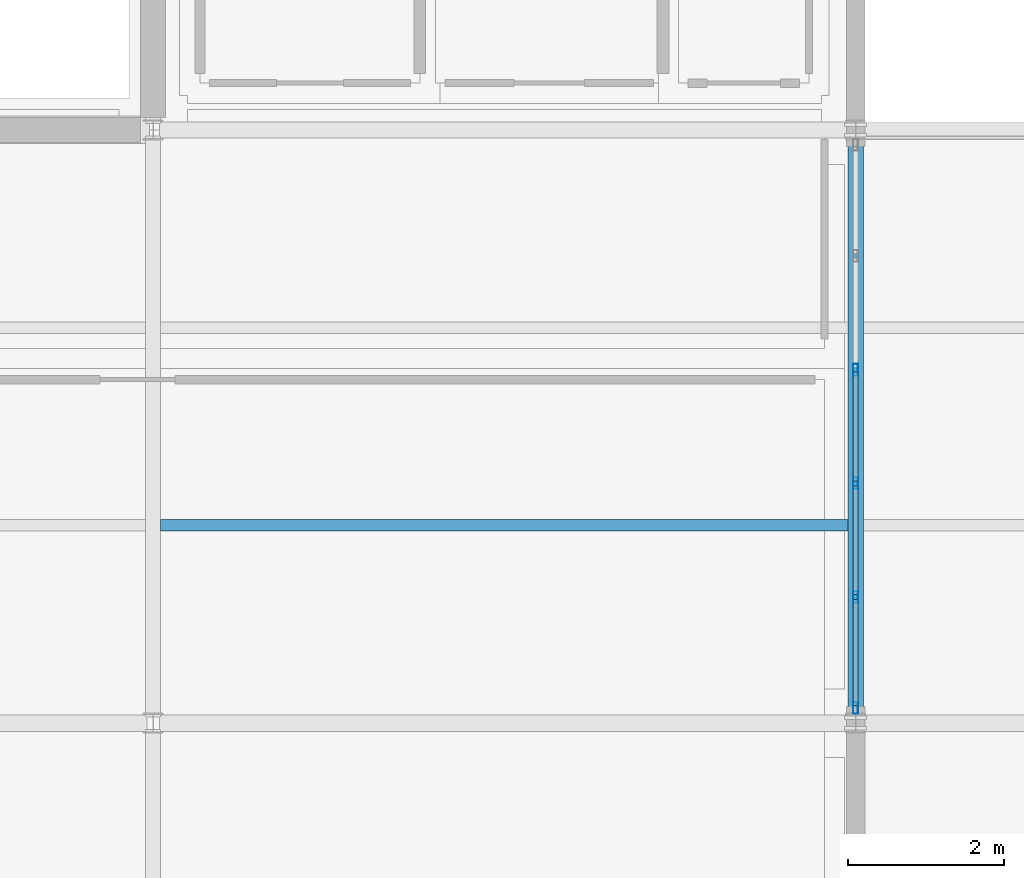
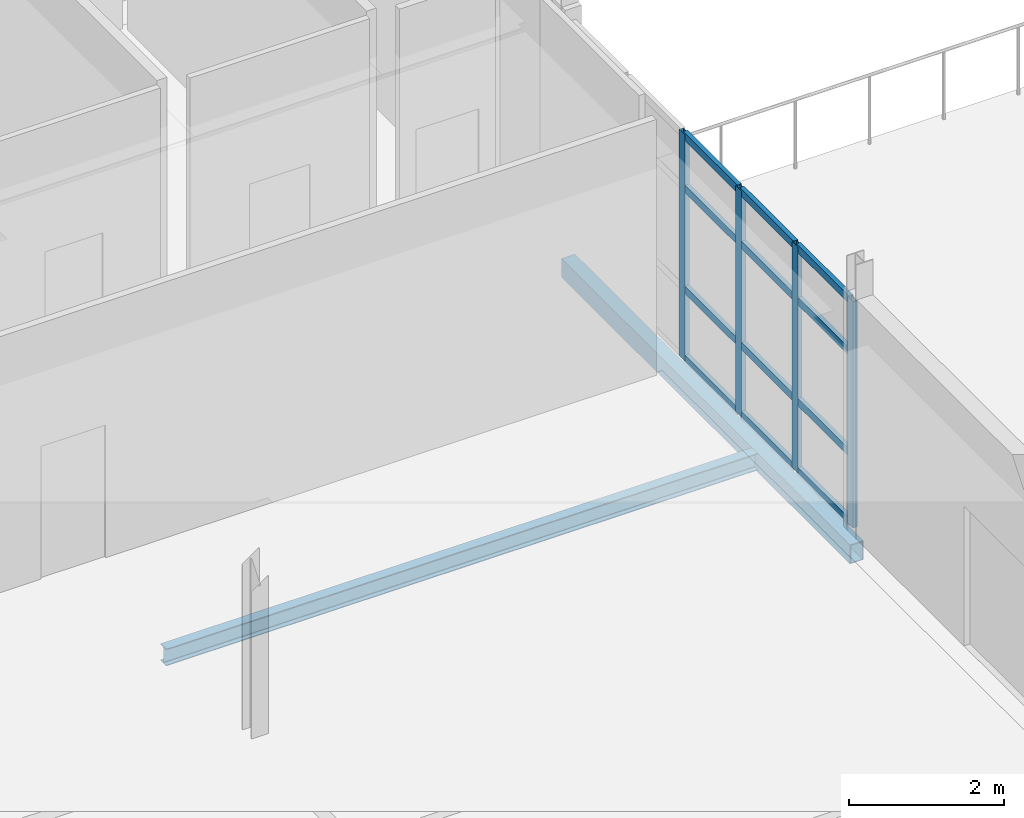
# One storey, part 28 of 48: 16 members, 2 beams, 1 element without a shape of its own.
"""IFC4 building model written with IfcOpenShell, lengths in metres."""

from ifc_helpers import new_model, si_unit, direction, frame, origin, origin_2d, place, context, subcontext, project, spatial, hollow_rectangle, i_section, extrude, material, material_profile, profile_set, type_object, element, aggregate, save


model = new_model("IFC4")

# Units and contexts
model_context = context("Model", 3, precision=1e-05, world=origin(), true_north=direction((0.0, 1.0)))
body_context = subcontext(model_context, "Body", "Model", "MODEL_VIEW")
ifc_project = project(units=[si_unit("LENGTHUNIT", "METRE"), si_unit("AREAUNIT", "SQUARE_METRE"), si_unit("VOLUMEUNIT", "CUBIC_METRE"), si_unit("PLANEANGLEUNIT", "RADIAN"), si_unit("MASSUNIT", "GRAM", prefix="KILO")], contexts=[model_context])

# Site, building, storey
site_placement = place(None, origin())
site = spatial("IfcSite", under=ifc_project, at=site_placement, CompositionType="ELEMENT")
building_placement = place(site_placement, origin())
building = spatial("IfcBuilding", under=site, at=building_placement, Name="Caisbarro Railhouse Central Library", CompositionType="ELEMENT")
storey_placement = place(building_placement, frame((0.0, 0.0, 18.0)))
storey = spatial("IfcBuildingStorey", under=building, at=storey_placement, Name="L04", CompositionType="ELEMENT", Elevation=18.0)

# Beams
ifc_material_1 = material(Name="Steel ASTM A572 Grade 50", Category="steel")
ifc_material_profile_1 = material_profile(ifc_material_1, i_section(OverallWidth=0.14794921875, OverallDepth=0.26611328125, WebThickness=0.007568359375, FlangeThickness=0.012939453125, FilletRadius=0.010009765625, at=origin_2d()), Name="W250X44.8")
ifc_profile_set_1 = profile_set([ifc_material_profile_1], Name="Steel ASTM A572 Grade 50")
beam_type_1 = type_object("IfcBeamType", Name="BM-J04", PredefinedType="JOIST", material=ifc_profile_set_1)
beam_1_placement = place(storey_placement, frame((135.094970703125, 101.333251953125, -0.35302734375), z_axis=(1.0, 0.0, 0.0), x_axis=(0.0, 1.0, 0.0)))
element("IfcBeam", 1, at=beam_1_placement, inside=storey, type_object=beam_type_1, Name="J04 beam L04 #2136", PredefinedType="JOIST", context=body_context, shape_type="SweptSolid", body=[
    extrude(i_section(OverallWidth=0.14794921875, OverallDepth=0.26611328125, WebThickness=0.007568359375, FlangeThickness=0.012939453125, FilletRadius=0.010009765625, at=origin_2d()), origin(), (0.0, 0.0, 1.0), 8.804931640625),
])
ifc_material_profile_2 = material_profile(ifc_material_1, hollow_rectangle(XDim=0.199951171875, YDim=0.300048828125, WallThickness=0.012451171875, at=origin_2d()), Name="HSS300X200X12.5")
ifc_profile_set_2 = profile_set([ifc_material_profile_2], Name="Steel ASTM A572 Grade 50")
beam_type_2 = type_object("IfcBeamType", Name="BM-SP02", PredefinedType="SPANDREL", material=ifc_profile_set_2)
beam_2_placement = place(storey_placement, frame((144.0, 98.8798828125, -0.3701171875), z_axis=(0.0, 1.0, 0.0), x_axis=(-1.0, 0.0, 0.0)))
element("IfcBeam", 2, at=beam_2_placement, inside=storey, type_object=beam_type_2, Name="SP02 beam L04 #2114", PredefinedType="SPANDREL", context=body_context, shape_type="SweptSolid", body=[
    extrude(hollow_rectangle(XDim=0.199951171875, YDim=0.300048828125, WallThickness=0.012451171875, at=origin_2d()), origin(), (0.0, 0.0, 1.0), 7.440185546875),
])

# Curtain wall, members
ifc_material_2 = material(Name="Anodised architectural aluminium", Category="aluminium")
curtain_wall_type = type_object("IfcCurtainWallType", Name="CW-CW03", PredefinedType="NOTDEFINED", material=ifc_material_2)
curtain_wall_placement = place(storey_placement, origin())
curtain_wall = element("IfcCurtainWall", 3, at=curtain_wall_placement, inside=storey, type_object=curtain_wall_type, Name="CW03 curtain wall L04 #165", PredefinedType="NOTDEFINED")
ifc_material_profile_3 = material_profile(ifc_material_2, hollow_rectangle(XDim=0.06494140625, YDim=0.14990234375, WallThickness=0.00390625, at=origin_2d()), Name="ALU-MUL-65X150")
ifc_profile_set_3 = profile_set([ifc_material_profile_3], Name="Anodised architectural aluminium")
member_type_1 = type_object("IfcMemberType", Name="CWM-M02", PredefinedType="MULLION", material=ifc_profile_set_3)
member_1_placement = place(storey_placement, frame((144.0, 98.992431640625, 0.0), z_axis=(0.0, 0.0, 1.0), x_axis=(-1.0, 0.0, 0.0)))
member_1 = element("IfcMember", 4, at=member_1_placement, type_object=member_type_1, Name="CW03 mullion 1", PredefinedType="MULLION", context=body_context, shape_type="SweptSolid", body=[
    extrude(hollow_rectangle(XDim=0.06494140625, YDim=0.14990234375, WallThickness=0.00390625, at=origin_2d()), origin(), (0.0, 0.0, 1.0), 3.56005859375),
])
member_2_placement = place(storey_placement, frame((144.0, 100.416015625, 0.0), z_axis=(0.0, 0.0, 1.0), x_axis=(-1.0, 0.0, 0.0)))
member_2 = element("IfcMember", 5, at=member_2_placement, type_object=member_type_1, Name="CW03 mullion 2", PredefinedType="MULLION", context=body_context, shape_type="SweptSolid", body=[
    extrude(hollow_rectangle(XDim=0.06494140625, YDim=0.14990234375, WallThickness=0.00390625, at=origin_2d()), origin(), (0.0, 0.0, 1.0), 3.56005859375),
])
member_3_placement = place(storey_placement, frame((144.0, 101.8720703125, 0.0), z_axis=(0.0, 0.0, 1.0), x_axis=(-1.0, 0.0, 0.0)))
member_3 = element("IfcMember", 6, at=member_3_placement, type_object=member_type_1, Name="CW03 mullion 3", PredefinedType="MULLION", context=body_context, shape_type="SweptSolid", body=[
    extrude(hollow_rectangle(XDim=0.06494140625, YDim=0.14990234375, WallThickness=0.00390625, at=origin_2d()), origin(), (0.0, 0.0, 1.0), 3.56005859375),
])
member_4_placement = place(storey_placement, frame((144.0, 103.327880859375, 0.0), z_axis=(0.0, 0.0, 1.0), x_axis=(-1.0, 0.0, 0.0)))
member_4 = element("IfcMember", 7, at=member_4_placement, type_object=member_type_1, Name="CW03 mullion 4", PredefinedType="MULLION", context=body_context, shape_type="SweptSolid", body=[
    extrude(hollow_rectangle(XDim=0.06494140625, YDim=0.14990234375, WallThickness=0.00390625, at=origin_2d()), origin(), (0.0, 0.0, 1.0), 3.56005859375),
])
ifc_material_profile_4 = material_profile(ifc_material_2, hollow_rectangle(XDim=0.06494140625, YDim=0.1201171875, WallThickness=0.00341796875, at=origin_2d()), Name="ALU-TRN-65X120")
ifc_profile_set_4 = profile_set([ifc_material_profile_4], Name="Anodised architectural aluminium")
member_type_2 = type_object("IfcMemberType", Name="CWT-T02", PredefinedType="USERDEFINED", material=ifc_profile_set_4)
member_5_placement = place(storey_placement, frame((144.0, 99.02490234375, 0.032470703125), z_axis=(0.0, 1.0, 0.0), x_axis=(-1.0, 0.0, 0.0)))
member_5 = element("IfcMember", 8, at=member_5_placement, type_object=member_type_2, Name="CW03 transom 1.1", ObjectType="TRANSOM", PredefinedType="USERDEFINED", context=body_context, shape_type="SweptSolid", body=[
    extrude(hollow_rectangle(XDim=0.06494140625, YDim=0.1201171875, WallThickness=0.00341796875, at=origin_2d()), origin(), (0.0, 0.0, 1.0), 1.358642578125),
])
member_6_placement = place(storey_placement, frame((144.0, 99.02490234375, 1.1201171875), z_axis=(0.0, 1.0, 0.0), x_axis=(-1.0, 0.0, 0.0)))
member_6 = element("IfcMember", 9, at=member_6_placement, type_object=member_type_2, Name="CW03 transom 1.2", ObjectType="TRANSOM", PredefinedType="USERDEFINED", context=body_context, shape_type="SweptSolid", body=[
    extrude(hollow_rectangle(XDim=0.06494140625, YDim=0.1201171875, WallThickness=0.00341796875, at=origin_2d()), origin(), (0.0, 0.0, 1.0), 1.358642578125),
])
member_7_placement = place(storey_placement, frame((144.0, 99.02490234375, 2.7099609375), z_axis=(0.0, 1.0, 0.0), x_axis=(-1.0, 0.0, 0.0)))
member_7 = element("IfcMember", 10, at=member_7_placement, type_object=member_type_2, Name="CW03 transom 1.3", ObjectType="TRANSOM", PredefinedType="USERDEFINED", context=body_context, shape_type="SweptSolid", body=[
    extrude(hollow_rectangle(XDim=0.06494140625, YDim=0.1201171875, WallThickness=0.00341796875, at=origin_2d()), origin(), (0.0, 0.0, 1.0), 1.358642578125),
])
member_8_placement = place(storey_placement, frame((144.0, 99.02490234375, 3.527587890625), z_axis=(0.0, 1.0, 0.0), x_axis=(-1.0, 0.0, 0.0)))
member_8 = element("IfcMember", 11, at=member_8_placement, type_object=member_type_2, Name="CW03 transom 1.4", ObjectType="TRANSOM", PredefinedType="USERDEFINED", context=body_context, shape_type="SweptSolid", body=[
    extrude(hollow_rectangle(XDim=0.06494140625, YDim=0.1201171875, WallThickness=0.00341796875, at=origin_2d()), origin(), (0.0, 0.0, 1.0), 1.358642578125),
])
member_9_placement = place(storey_placement, frame((144.0, 100.448486328125, 0.032470703125), z_axis=(0.0, 1.0, 0.0), x_axis=(-1.0, 0.0, 0.0)))
member_9 = element("IfcMember", 12, at=member_9_placement, type_object=member_type_2, Name="CW03 transom 2.1", ObjectType="TRANSOM", PredefinedType="USERDEFINED", context=body_context, shape_type="SweptSolid", body=[
    extrude(hollow_rectangle(XDim=0.06494140625, YDim=0.1201171875, WallThickness=0.00341796875, at=origin_2d()), origin(), (0.0, 0.0, 1.0), 1.39111328125),
])
member_10_placement = place(storey_placement, frame((144.0, 100.448486328125, 1.1201171875), z_axis=(0.0, 1.0, 0.0), x_axis=(-1.0, 0.0, 0.0)))
member_10 = element("IfcMember", 13, at=member_10_placement, type_object=member_type_2, Name="CW03 transom 2.2", ObjectType="TRANSOM", PredefinedType="USERDEFINED", context=body_context, shape_type="SweptSolid", body=[
    extrude(hollow_rectangle(XDim=0.06494140625, YDim=0.1201171875, WallThickness=0.00341796875, at=origin_2d()), origin(), (0.0, 0.0, 1.0), 1.39111328125),
])
member_11_placement = place(storey_placement, frame((144.0, 100.448486328125, 2.7099609375), z_axis=(0.0, 1.0, 0.0), x_axis=(-1.0, 0.0, 0.0)))
member_11 = element("IfcMember", 14, at=member_11_placement, type_object=member_type_2, Name="CW03 transom 2.3", ObjectType="TRANSOM", PredefinedType="USERDEFINED", context=body_context, shape_type="SweptSolid", body=[
    extrude(hollow_rectangle(XDim=0.06494140625, YDim=0.1201171875, WallThickness=0.00341796875, at=origin_2d()), origin(), (0.0, 0.0, 1.0), 1.39111328125),
])
member_12_placement = place(storey_placement, frame((144.0, 100.448486328125, 3.527587890625), z_axis=(0.0, 1.0, 0.0), x_axis=(-1.0, 0.0, 0.0)))
member_12 = element("IfcMember", 15, at=member_12_placement, type_object=member_type_2, Name="CW03 transom 2.4", ObjectType="TRANSOM", PredefinedType="USERDEFINED", context=body_context, shape_type="SweptSolid", body=[
    extrude(hollow_rectangle(XDim=0.06494140625, YDim=0.1201171875, WallThickness=0.00341796875, at=origin_2d()), origin(), (0.0, 0.0, 1.0), 1.39111328125),
])
member_13_placement = place(storey_placement, frame((144.0, 101.904541015625, 0.032470703125), z_axis=(0.0, 1.0, 0.0), x_axis=(-1.0, 0.0, 0.0)))
member_13 = element("IfcMember", 16, at=member_13_placement, type_object=member_type_2, Name="CW03 transom 3.1", ObjectType="TRANSOM", PredefinedType="USERDEFINED", context=body_context, shape_type="SweptSolid", body=[
    extrude(hollow_rectangle(XDim=0.06494140625, YDim=0.1201171875, WallThickness=0.00341796875, at=origin_2d()), origin(), (0.0, 0.0, 1.0), 1.390869140625),
])
member_14_placement = place(storey_placement, frame((144.0, 101.904541015625, 1.1201171875), z_axis=(0.0, 1.0, 0.0), x_axis=(-1.0, 0.0, 0.0)))
member_14 = element("IfcMember", 17, at=member_14_placement, type_object=member_type_2, Name="CW03 transom 3.2", ObjectType="TRANSOM", PredefinedType="USERDEFINED", context=body_context, shape_type="SweptSolid", body=[
    extrude(hollow_rectangle(XDim=0.06494140625, YDim=0.1201171875, WallThickness=0.00341796875, at=origin_2d()), origin(), (0.0, 0.0, 1.0), 1.390869140625),
])
member_15_placement = place(storey_placement, frame((144.0, 101.904541015625, 2.7099609375), z_axis=(0.0, 1.0, 0.0), x_axis=(-1.0, 0.0, 0.0)))
member_15 = element("IfcMember", 18, at=member_15_placement, type_object=member_type_2, Name="CW03 transom 3.3", ObjectType="TRANSOM", PredefinedType="USERDEFINED", context=body_context, shape_type="SweptSolid", body=[
    extrude(hollow_rectangle(XDim=0.06494140625, YDim=0.1201171875, WallThickness=0.00341796875, at=origin_2d()), origin(), (0.0, 0.0, 1.0), 1.390869140625),
])
member_16_placement = place(storey_placement, frame((144.0, 101.904541015625, 3.527587890625), z_axis=(0.0, 1.0, 0.0), x_axis=(-1.0, 0.0, 0.0)))
member_16 = element("IfcMember", 19, at=member_16_placement, type_object=member_type_2, Name="CW03 transom 3.4", ObjectType="TRANSOM", PredefinedType="USERDEFINED", context=body_context, shape_type="SweptSolid", body=[
    extrude(hollow_rectangle(XDim=0.06494140625, YDim=0.1201171875, WallThickness=0.00341796875, at=origin_2d()), origin(), (0.0, 0.0, 1.0), 1.390869140625),
])
aggregate(curtain_wall, [member_1, member_2, member_3, member_4, member_5, member_6, member_7, member_8, member_9, member_10, member_11, member_12, member_13, member_14, member_15, member_16])

save(model, "model.ifc")
